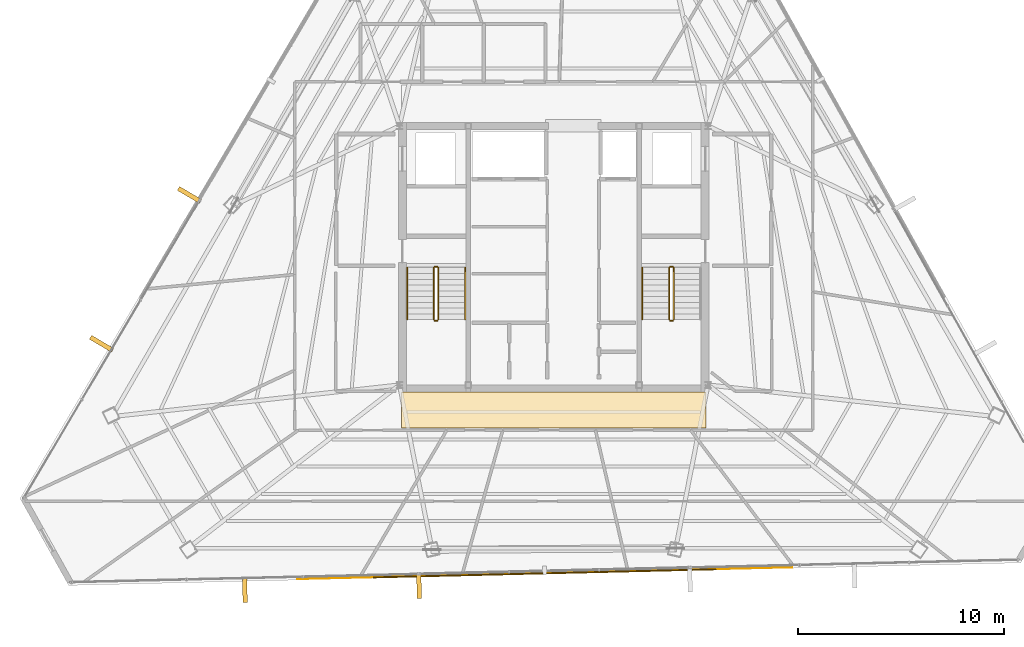
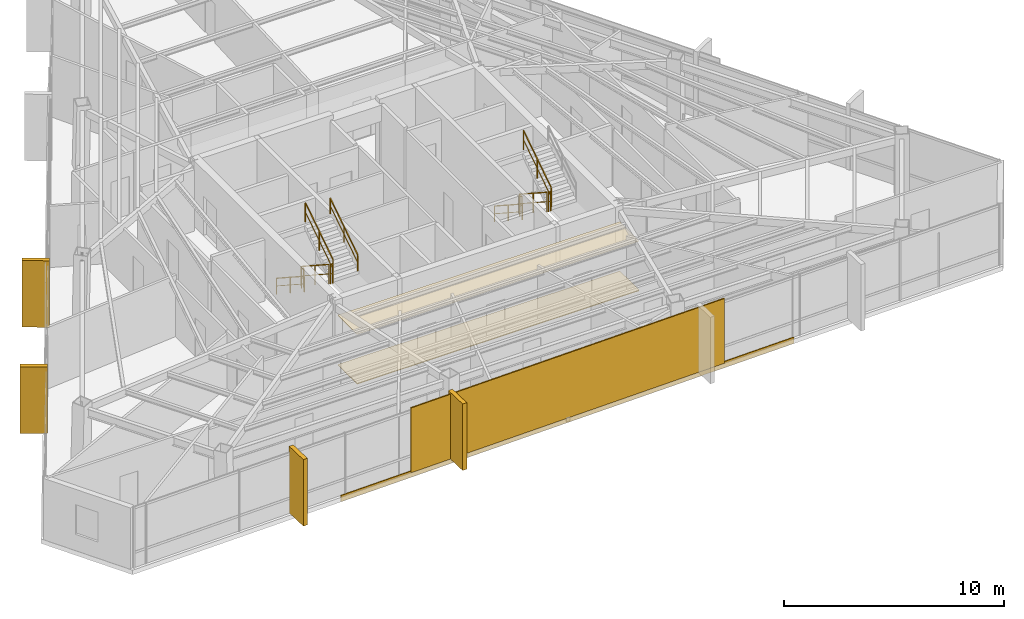
# One storey, part 43 of 44: 11 railings, 7 coverings, 1 shading device.
"""IFC4 building model written with IfcOpenShell, lengths in metres."""

from ifc_helpers import new_model, si_unit, direction, frame, origin, origin_2d, place, context, subcontext, project, spatial, polyline, rectangle, outline, extrude, source, transform, mapped, material, layer, layer_set, type_object, type_shapes, element, save


model = new_model("IFC4")

# Units and contexts
model_context = context("Model", 3, precision=1e-05, world=origin(), true_north=direction((0.0, 1.0)))
body_context = subcontext(model_context, "Body", "Model", "MODEL_VIEW")
ifc_project = project(units=[si_unit("LENGTHUNIT", "METRE"), si_unit("AREAUNIT", "SQUARE_METRE"), si_unit("VOLUMEUNIT", "CUBIC_METRE"), si_unit("PLANEANGLEUNIT", "RADIAN"), si_unit("MASSUNIT", "GRAM", prefix="KILO")], contexts=[model_context])

# Site, building, storey
site_placement = place(None, origin())
site = spatial("IfcSite", under=ifc_project, at=site_placement, CompositionType="ELEMENT")
building_placement = place(site_placement, origin())
building = spatial("IfcBuilding", under=site, at=building_placement, Name="Caelisora Broadcast Tower", CompositionType="ELEMENT")
storey_placement = place(building_placement, frame((0.0, 0.0, 259.050048828125)))
storey = spatial("IfcBuildingStorey", under=building, at=storey_placement, Name="L68", CompositionType="ELEMENT", Elevation=259.050048828125)

# Coverings
ifc_material_1 = material(Name="Perforated Mineral-Fibre Acoustic Ceiling Tile", Category="gypsum")
ifc_layer_1 = layer(ifc_material_1, 0.034912109375, Name="Perforated Mineral-Fibre Acoustic Ceiling Tile")
ifc_layer_set_1 = layer_set([ifc_layer_1], Name="Perforated Mineral-Fibre Acoustic Ceiling Tile")
covering_type_1 = type_object("IfcCoveringType", Name="CE-1", PredefinedType="CEILING", material=ifc_layer_set_1)
covering_1_placement = place(storey_placement, frame((0.0, 0.0, 2.75)))
element("IfcCovering", 1, at=covering_1_placement, inside=storey, type_object=covering_type_1, Name="L68 acoustic corridor ceiling CE-1 (S)", PredefinedType="CEILING", context=body_context, shape_type="SweptSolid", body=[
    extrude(outline(polyline([(30.60009765625, 15.300048828125), (45.39990234375, 15.300048828125), (45.39990234375, 17.050048828125), (30.60009765625, 17.050048828125), (30.60009765625, 15.300048828125)])), origin(), (0.0, 0.0, 1.0), 0.034912109375),
])
ifc_material_2 = material(Name="Anti-Static Broadcast Raised Access Floor Panel", Category="steel")
ifc_layer_2 = layer(ifc_material_2, 0.044921875, Name="Anti-Static Broadcast Raised Access Floor Panel")
ifc_layer_set_2 = layer_set([ifc_layer_2], Name="Anti-Static Broadcast Raised Access Floor Panel")
covering_type_2 = type_object("IfcCoveringType", Name="FL-1", PredefinedType="FLOORING", material=ifc_layer_set_2)
covering_2_placement = place(storey_placement, origin())
element("IfcCovering", 2, at=covering_2_placement, inside=storey, type_object=covering_type_2, Name="L68 broadcast raised access floor FL-1 (S)", PredefinedType="FLOORING", context=body_context, shape_type="SweptSolid", body=[
    extrude(outline(polyline([(30.60009765625, 15.300048828125), (45.39990234375, 15.300048828125), (45.39990234375, 17.050048828125), (30.60009765625, 17.050048828125), (30.60009765625, 15.300048828125)])), origin(), (0.0, 0.0, 1.0), 0.044921875),
])

# Railings
ifc_material_3 = material(Name="Galvanised Steel Safety Guardrail", Category="steel")
ifc_layer_3 = layer(ifc_material_3, 0.048095703125, Name="Galvanised Steel Safety Guardrail")
ifc_layer_set_3 = layer_set([ifc_layer_3], Name="Galvanised Steel Safety Guardrail")
railing_type_1 = type_object("IfcRailingType", Name="GR-1", PredefinedType="GUARDRAIL", material=ifc_layer_set_3)
railing_1_placement = place(storey_placement, frame((32.169921875, 23.10009765625, 0.182373046875)))
element("IfcRailing", 3, at=railing_1_placement, inside=storey, type_object=railing_type_1, Name="L68 ST-1 stair guard 1", PredefinedType="GUARDRAIL", context=body_context, shape_type="SweptSolid", body=[
    extrude(rectangle(XDim=0.048095703125, YDim=0.048095703125, at=origin_2d()), frame((0.0, 0.0, 1.076171875), z_axis=(0.0, -0.837749427056, 0.546054848405), x_axis=(1.0, 0.0, 0.0)), (0.0, 0.0, 1.0), 3.008056640625),
    extrude(rectangle(XDim=0.03125, YDim=0.03125, at=origin_2d()), frame((0.0, 0.0, 0.550048828125), z_axis=(0.0, -0.837749427056, 0.546054848405), x_axis=(1.0, 0.0, 0.0)), (0.0, 0.0, 1.0), 3.008056640625),
    extrude(rectangle(XDim=0.0419921875, YDim=0.0419921875, at=origin_2d()), origin(), (0.0, 0.0, 1.0), 1.052001953125),
    extrude(rectangle(XDim=0.0419921875, YDim=0.0419921875, at=origin_2d()), frame((0.0, -1.260009765625, 0.8212890625)), (0.0, 0.0, 1.0), 1.052001953125),
    extrude(rectangle(XDim=0.0419921875, YDim=0.0419921875, at=origin_2d()), frame((0.0, -2.52001953125, 1.642578125)), (0.0, 0.0, 1.0), 1.052001953125),
])
railing_2_placement = place(storey_placement, frame((32.219970703125, 20.530029296875, 1.824951171875)))
element("IfcRailing", 4, at=railing_2_placement, inside=storey, type_object=railing_type_1, Name="L68 ST-1 stair guard 2", PredefinedType="GUARDRAIL", context=body_context, shape_type="SweptSolid", body=[
    extrude(rectangle(XDim=0.048095703125, YDim=0.048095703125, at=origin_2d()), frame((0.0, 0.0, 1.076171875), z_axis=(1.0, 0.0, 0.0), x_axis=(0.0, 1.0, 0.0)), (0.0, 0.0, 1.0), 0.1201171875),
    extrude(rectangle(XDim=0.03125, YDim=0.03125, at=origin_2d()), frame((0.0, 0.0, 0.550048828125), z_axis=(1.0, 0.0, 0.0), x_axis=(0.0, 1.0, 0.0)), (0.0, 0.0, 1.0), 0.1201171875),
    extrude(rectangle(XDim=0.0419921875, YDim=0.0419921875, at=origin_2d()), origin(), (0.0, 0.0, 1.0), 1.052001953125),
    extrude(rectangle(XDim=0.0419921875, YDim=0.0419921875, at=origin_2d()), frame((0.1201171875, 0.0, 0.0)), (0.0, 0.0, 1.0), 1.052001953125),
])
railing_3_placement = place(storey_placement, frame((32.389892578125, 20.580078125, 2.007568359375)))
element("IfcRailing", 5, at=railing_3_placement, inside=storey, type_object=railing_type_1, Name="L68 ST-1 stair guard 3", PredefinedType="GUARDRAIL", context=body_context, shape_type="SweptSolid", body=[
    extrude(rectangle(XDim=0.048095703125, YDim=0.048095703125, at=origin_2d()), frame((0.0, 0.0, 1.076171875), z_axis=(0.0, 0.837786554691, 0.545997883492), x_axis=(-1.0, 0.0, 0.0)), (0.0, 0.0, 1.0), 3.008056640625),
    extrude(rectangle(XDim=0.03125, YDim=0.03125, at=origin_2d()), frame((0.0, 0.0, 0.550048828125), z_axis=(0.0, 0.837786554691, 0.545997883492), x_axis=(-1.0, 0.0, 0.0)), (0.0, 0.0, 1.0), 3.008056640625),
    extrude(rectangle(XDim=0.0419921875, YDim=0.0419921875, at=origin_2d()), origin(), (0.0, 0.0, 1.0), 1.052001953125),
    extrude(rectangle(XDim=0.0419921875, YDim=0.0419921875, at=origin_2d()), frame((0.0, 1.260009765625, 0.8212890625)), (0.0, 0.0, 1.0), 1.052001953125),
    extrude(rectangle(XDim=0.0419921875, YDim=0.0419921875, at=origin_2d()), frame((0.0, 2.52001953125, 1.642333984375)), (0.0, 0.0, 1.0), 1.052001953125),
])
railing_4_placement = place(storey_placement, frame((32.219970703125, 23.14990234375, 0.0)))
element("IfcRailing", 6, at=railing_4_placement, inside=storey, type_object=railing_type_1, Name="L68 ST-1 stair guard 4", PredefinedType="GUARDRAIL", context=body_context, shape_type="SweptSolid", body=[
    extrude(rectangle(XDim=0.048095703125, YDim=0.048095703125, at=origin_2d()), frame((0.0, 0.0, 1.076171875), z_axis=(1.0, 0.0, 0.0), x_axis=(0.0, 1.0, 0.0)), (0.0, 0.0, 1.0), 0.1201171875),
    extrude(rectangle(XDim=0.03125, YDim=0.03125, at=origin_2d()), frame((0.0, 0.0, 0.550048828125), z_axis=(1.0, 0.0, 0.0), x_axis=(0.0, 1.0, 0.0)), (0.0, 0.0, 1.0), 0.1201171875),
    extrude(rectangle(XDim=0.0419921875, YDim=0.0419921875, at=origin_2d()), origin(), (0.0, 0.0, 1.0), 1.052001953125),
    extrude(rectangle(XDim=0.0419921875, YDim=0.0419921875, at=origin_2d()), frame((0.1201171875, 0.0, 0.0)), (0.0, 0.0, 1.0), 1.052001953125),
])
railing_5_placement = place(storey_placement, frame((43.610107421875, 23.10009765625, 0.182373046875)))
element("IfcRailing", 7, at=railing_5_placement, inside=storey, type_object=railing_type_1, Name="L68 ST-2 stair guard 1", PredefinedType="GUARDRAIL", context=body_context, shape_type="SweptSolid", body=[
    extrude(rectangle(XDim=0.048095703125, YDim=0.048095703125, at=origin_2d()), frame((0.0, 0.0, 1.076171875), z_axis=(0.0, -0.837749427056, 0.546054848405), x_axis=(1.0, 0.0, 0.0)), (0.0, 0.0, 1.0), 3.008056640625),
    extrude(rectangle(XDim=0.03125, YDim=0.03125, at=origin_2d()), frame((0.0, 0.0, 0.550048828125), z_axis=(0.0, -0.837749427056, 0.546054848405), x_axis=(1.0, 0.0, 0.0)), (0.0, 0.0, 1.0), 3.008056640625),
    extrude(rectangle(XDim=0.0419921875, YDim=0.0419921875, at=origin_2d()), origin(), (0.0, 0.0, 1.0), 1.052001953125),
    extrude(rectangle(XDim=0.0419921875, YDim=0.0419921875, at=origin_2d()), frame((0.0, -1.260009765625, 0.8212890625)), (0.0, 0.0, 1.0), 1.052001953125),
    extrude(rectangle(XDim=0.0419921875, YDim=0.0419921875, at=origin_2d()), frame((0.0, -2.52001953125, 1.642578125)), (0.0, 0.0, 1.0), 1.052001953125),
])
railing_6_placement = place(storey_placement, frame((43.659912109375, 20.530029296875, 1.824951171875)))
element("IfcRailing", 8, at=railing_6_placement, inside=storey, type_object=railing_type_1, Name="L68 ST-2 stair guard 2", PredefinedType="GUARDRAIL", context=body_context, shape_type="SweptSolid", body=[
    extrude(rectangle(XDim=0.048095703125, YDim=0.048095703125, at=origin_2d()), frame((0.0, 0.0, 1.076171875), z_axis=(1.0, 0.0, 0.0), x_axis=(0.0, 1.0, 0.0)), (0.0, 0.0, 1.0), 0.1201171875),
    extrude(rectangle(XDim=0.03125, YDim=0.03125, at=origin_2d()), frame((0.0, 0.0, 0.550048828125), z_axis=(1.0, 0.0, 0.0), x_axis=(0.0, 1.0, 0.0)), (0.0, 0.0, 1.0), 0.1201171875),
    extrude(rectangle(XDim=0.0419921875, YDim=0.0419921875, at=origin_2d()), origin(), (0.0, 0.0, 1.0), 1.052001953125),
    extrude(rectangle(XDim=0.0419921875, YDim=0.0419921875, at=origin_2d()), frame((0.1201171875, 0.0, 0.0)), (0.0, 0.0, 1.0), 1.052001953125),
])
railing_7_placement = place(storey_placement, frame((43.830078125, 20.580078125, 2.007568359375)))
element("IfcRailing", 9, at=railing_7_placement, inside=storey, type_object=railing_type_1, Name="L68 ST-2 stair guard 3", PredefinedType="GUARDRAIL", context=body_context, shape_type="SweptSolid", body=[
    extrude(rectangle(XDim=0.048095703125, YDim=0.048095703125, at=origin_2d()), frame((0.0, 0.0, 1.076171875), z_axis=(0.0, 0.837786554691, 0.545997883492), x_axis=(-1.0, 0.0, 0.0)), (0.0, 0.0, 1.0), 3.008056640625),
    extrude(rectangle(XDim=0.03125, YDim=0.03125, at=origin_2d()), frame((0.0, 0.0, 0.550048828125), z_axis=(0.0, 0.837786554691, 0.545997883492), x_axis=(-1.0, 0.0, 0.0)), (0.0, 0.0, 1.0), 3.008056640625),
    extrude(rectangle(XDim=0.0419921875, YDim=0.0419921875, at=origin_2d()), origin(), (0.0, 0.0, 1.0), 1.052001953125),
    extrude(rectangle(XDim=0.0419921875, YDim=0.0419921875, at=origin_2d()), frame((0.0, 1.260009765625, 0.8212890625)), (0.0, 0.0, 1.0), 1.052001953125),
    extrude(rectangle(XDim=0.0419921875, YDim=0.0419921875, at=origin_2d()), frame((0.0, 2.52001953125, 1.642333984375)), (0.0, 0.0, 1.0), 1.052001953125),
])
railing_8_placement = place(storey_placement, frame((43.659912109375, 23.14990234375, 0.0)))
element("IfcRailing", 10, at=railing_8_placement, inside=storey, type_object=railing_type_1, Name="L68 ST-2 stair guard 4", PredefinedType="GUARDRAIL", context=body_context, shape_type="SweptSolid", body=[
    extrude(rectangle(XDim=0.048095703125, YDim=0.048095703125, at=origin_2d()), frame((0.0, 0.0, 1.076171875), z_axis=(1.0, 0.0, 0.0), x_axis=(0.0, 1.0, 0.0)), (0.0, 0.0, 1.0), 0.1201171875),
    extrude(rectangle(XDim=0.03125, YDim=0.03125, at=origin_2d()), frame((0.0, 0.0, 0.550048828125), z_axis=(1.0, 0.0, 0.0), x_axis=(0.0, 1.0, 0.0)), (0.0, 0.0, 1.0), 0.1201171875),
    extrude(rectangle(XDim=0.0419921875, YDim=0.0419921875, at=origin_2d()), origin(), (0.0, 0.0, 1.0), 1.052001953125),
    extrude(rectangle(XDim=0.0419921875, YDim=0.0419921875, at=origin_2d()), frame((0.1201171875, 0.0, 0.0)), (0.0, 0.0, 1.0), 1.052001953125),
])
ifc_material_4 = material(Name="Stainless Steel Grade 316 Tubular Handrail", Category="steel")
ifc_layer_4 = layer(ifc_material_4, 0.048095703125, Name="Stainless Steel Grade 316 Tubular Handrail")
ifc_layer_set_4 = layer_set([ifc_layer_4], Name="Stainless Steel Grade 316 Tubular Handrail")
railing_type_2 = type_object("IfcRailingType", Name="HR-1", PredefinedType="HANDRAIL", material=ifc_layer_set_4)
railing_9_placement = place(storey_placement, frame((30.8701171875, 23.10009765625, 0.182373046875)))
element("IfcRailing", 11, at=railing_9_placement, inside=storey, type_object=railing_type_2, Name="L68 ST-1 stair handrail 1", PredefinedType="HANDRAIL", context=body_context, shape_type="SweptSolid", body=[
    extrude(rectangle(XDim=0.048095703125, YDim=0.048095703125, at=origin_2d()), frame((0.0, 0.0, 0.8759765625), z_axis=(0.0, -0.837749427056, 0.546054848405), x_axis=(1.0, 0.0, 0.0)), (0.0, 0.0, 1.0), 3.008056640625),
    extrude(rectangle(XDim=0.03125, YDim=0.03125, at=origin_2d()), frame((0.0, 0.0, 0.449951171875), z_axis=(0.0, -0.837749427056, 0.546054848405), x_axis=(1.0, 0.0, 0.0)), (0.0, 0.0, 1.0), 3.008056640625),
    extrude(rectangle(XDim=0.0419921875, YDim=0.0419921875, at=origin_2d()), origin(), (0.0, 0.0, 1.0), 0.851806640625),
    extrude(rectangle(XDim=0.0419921875, YDim=0.0419921875, at=origin_2d()), frame((0.0, -1.260009765625, 0.8212890625)), (0.0, 0.0, 1.0), 0.851806640625),
    extrude(rectangle(XDim=0.0419921875, YDim=0.0419921875, at=origin_2d()), frame((0.0, -2.52001953125, 1.642578125)), (0.0, 0.0, 1.0), 0.851806640625),
])
railing_10_placement = place(storey_placement, frame((33.68994140625, 20.580078125, 2.007568359375)))
element("IfcRailing", 12, at=railing_10_placement, inside=storey, type_object=railing_type_2, Name="L68 ST-1 stair handrail 2", PredefinedType="HANDRAIL", context=body_context, shape_type="SweptSolid", body=[
    extrude(rectangle(XDim=0.048095703125, YDim=0.048095703125, at=origin_2d()), frame((0.0, 0.0, 0.8759765625), z_axis=(0.0, 0.837786554691, 0.545997883492), x_axis=(-1.0, 0.0, 0.0)), (0.0, 0.0, 1.0), 3.008056640625),
    extrude(rectangle(XDim=0.03125, YDim=0.03125, at=origin_2d()), frame((0.0, 0.0, 0.449951171875), z_axis=(0.0, 0.837786554691, 0.545997883492), x_axis=(-1.0, 0.0, 0.0)), (0.0, 0.0, 1.0), 3.008056640625),
    extrude(rectangle(XDim=0.0419921875, YDim=0.0419921875, at=origin_2d()), origin(), (0.0, 0.0, 1.0), 0.851806640625),
    extrude(rectangle(XDim=0.0419921875, YDim=0.0419921875, at=origin_2d()), frame((0.0, 1.260009765625, 0.8212890625)), (0.0, 0.0, 1.0), 0.851806640625),
    extrude(rectangle(XDim=0.0419921875, YDim=0.0419921875, at=origin_2d()), frame((0.0, 2.52001953125, 1.642333984375)), (0.0, 0.0, 1.0), 0.851806640625),
])
railing_11_placement = place(storey_placement, frame((42.31005859375, 23.10009765625, 0.182373046875)))
element("IfcRailing", 13, at=railing_11_placement, inside=storey, type_object=railing_type_2, Name="L68 ST-2 stair handrail 1", PredefinedType="HANDRAIL", context=body_context, shape_type="SweptSolid", body=[
    extrude(rectangle(XDim=0.048095703125, YDim=0.048095703125, at=origin_2d()), frame((0.0, 0.0, 0.8759765625), z_axis=(0.0, -0.837749427056, 0.546054848405), x_axis=(1.0, 0.0, 0.0)), (0.0, 0.0, 1.0), 3.008056640625),
    extrude(rectangle(XDim=0.03125, YDim=0.03125, at=origin_2d()), frame((0.0, 0.0, 0.449951171875), z_axis=(0.0, -0.837749427056, 0.546054848405), x_axis=(1.0, 0.0, 0.0)), (0.0, 0.0, 1.0), 3.008056640625),
    extrude(rectangle(XDim=0.0419921875, YDim=0.0419921875, at=origin_2d()), origin(), (0.0, 0.0, 1.0), 0.851806640625),
    extrude(rectangle(XDim=0.0419921875, YDim=0.0419921875, at=origin_2d()), frame((0.0, -1.260009765625, 0.8212890625)), (0.0, 0.0, 1.0), 0.851806640625),
    extrude(rectangle(XDim=0.0419921875, YDim=0.0419921875, at=origin_2d()), frame((0.0, -2.52001953125, 1.642578125)), (0.0, 0.0, 1.0), 0.851806640625),
])

# Coverings
ifc_material_5 = material(Name="Kiln-Fired Terracotta Spandrel Rainscreen Cladding", Category="ceramic")
ifc_layer_5 = layer(ifc_material_5, 0.044921875, Name="Kiln-Fired Terracotta Spandrel Rainscreen Cladding")
ifc_layer_set_5 = layer_set([ifc_layer_5], Name="Kiln-Fired Terracotta Spandrel Rainscreen Cladding")
covering_type_3 = type_object("IfcCoveringType", Name="CL-1", PredefinedType="CLADDING", material=ifc_layer_set_5)
shared_shape_1 = source(origin(), body_context, "Body", "SweptSolid", [
    extrude(rectangle(XDim=0.219970703125, YDim=1.25, at=origin_2d()), origin(), (0.0, 0.0, 1.0), 3.68994140625),
])
for number, where, z_axis, x_axis, name in (
    (14, (31.44970703125, 7.642333984375, -0.02001953125), (0.0, 0.0, 1.0), (-0.999718303037, -0.023734248954, 0.0), "L68 vertical solar fin cladding #2-3"),
    (15, (22.978515625, 7.441162109375, -0.02001953125), (0.0, 0.0, 1.0), (-0.999718303037, -0.023734248954, 0.0), "L68 vertical solar fin cladding #2-4"),
    (16, (16.0078125, 19.4013671875, -0.02001953125), (0.0, 0.0, 1.0), (0.508440380454, 0.861097195167, 0.0), "L68 vertical solar fin cladding #3-1"),
    (17, (20.282958984375, 26.640869140625, -0.02001953125), (0.0, 0.0, 1.0), (0.508440380454, 0.861097195167, 0.0), "L68 vertical solar fin cladding #3-2"),
):
    element("IfcCovering", number, at=place(storey_placement, frame(where, z_axis=z_axis, x_axis=x_axis)), inside=storey, type_object=covering_type_3, Name=name, PredefinedType="CLADDING", context=body_context, shape_type="MappedRepresentation", body=[
        mapped(shared_shape_1, transform((0.0, 0.0, 0.0), scale=1.0)),
    ])

# Shading device
ifc_material_6 = material(Name="Perforated Glazed Terracotta Baguette Solar Screen", Category="ceramic")
ifc_layer_6 = layer(ifc_material_6, 0.06494140625, Name="Perforated Glazed Terracotta Baguette Solar Screen")
ifc_layer_set_6 = layer_set([ifc_layer_6], Name="Perforated Glazed Terracotta Baguette Solar Screen")
shading_device_type = type_object("IfcShadingDeviceType", Name="SS-1", PredefinedType="USERDEFINED", material=ifc_layer_set_6)
shared_shape_2 = source(origin(), body_context, "Body", "SweptSolid", [
    extrude(rectangle(XDim=16.674072265625, YDim=0.06494140625, at=origin_2d()), origin(), (0.0, 0.0, 1.0), 3.590087890625),
])
type_shapes(shading_device_type, [shared_shape_2])
shading_device_placement = place(storey_placement, frame((37.55810546875, 8.237548828125, 0.0), z_axis=(0.0, 0.0, 1.0), x_axis=(0.999718303037, 0.023734248954, 0.0)))
element("IfcShadingDevice", 18, at=shading_device_placement, inside=storey, type_object=shading_device_type, Name="L68 perforated terracotta solar screen #2", ObjectType="SOLAR SCREEN", PredefinedType="USERDEFINED", context=body_context, shape_type="MappedRepresentation", body=[
    mapped(shared_shape_2, transform((0.0, 0.0, 0.0), scale=1.0)),
])

# Covering
shared_shape_3 = source(origin(), body_context, "Body", "SweptSolid", [
    extrude(rectangle(XDim=24.0849609375, YDim=0.044921875, at=origin_2d()), origin(), (0.0, 0.0, 1.0), 0.340087890625),
])
type_shapes(covering_type_3, [shared_shape_1, shared_shape_3])
covering_3_placement = place(storey_placement, frame((37.5576171875, 8.257568359375, -0.27001953125), z_axis=(0.0, 0.0, 1.0), x_axis=(0.999718303037, 0.023734248954, 0.0)))
element("IfcCovering", 19, at=covering_3_placement, inside=storey, type_object=covering_type_3, Name="L68 terracotta spandrel rainscreen #2", PredefinedType="CLADDING", context=body_context, shape_type="MappedRepresentation", body=[
    mapped(shared_shape_3, transform((0.0, 0.0, 0.0), scale=1.0)),
])

save(model, "model.ifc")
